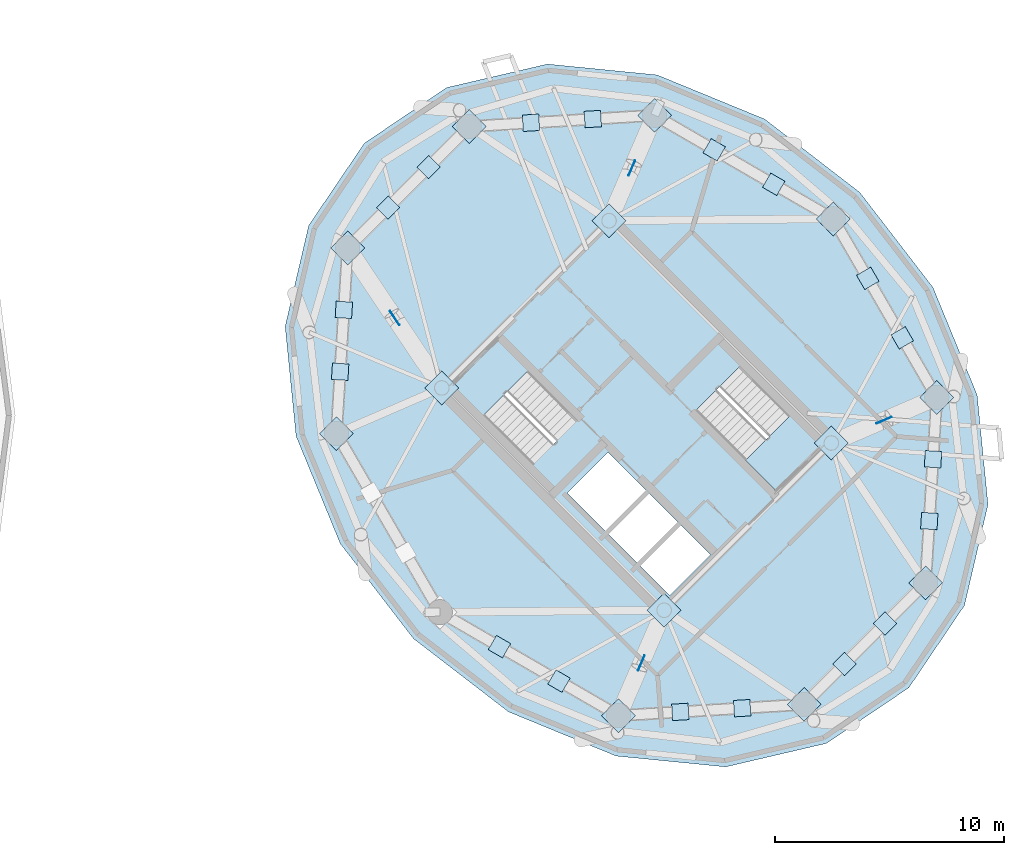
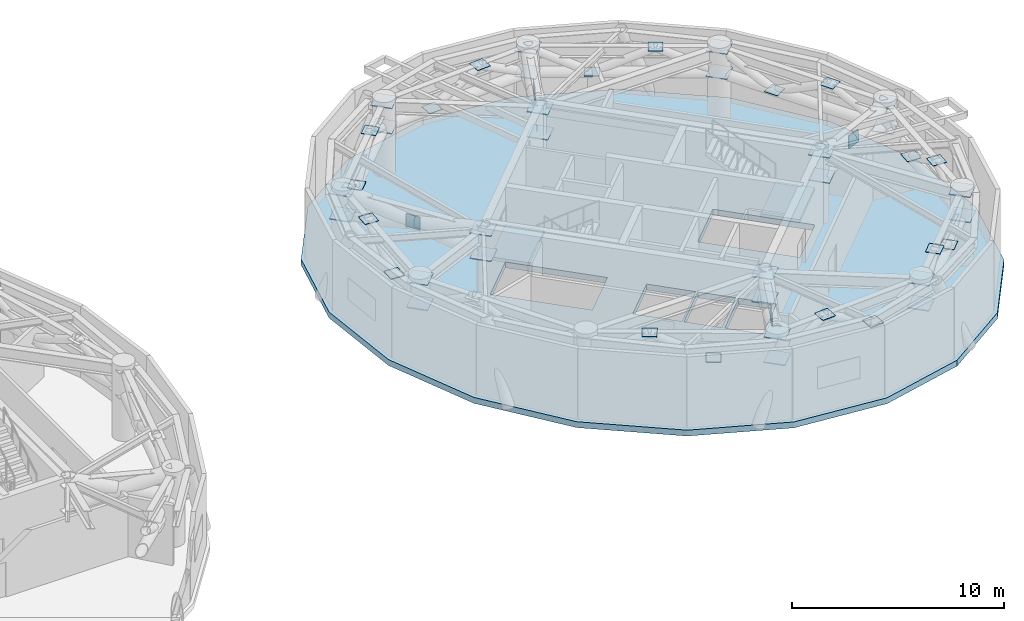
# One storey, part 7 of 14: 48 plates, 3 slabs, 2 elements without a shape of their own.
"""IFC4 building model written with IfcOpenShell, lengths in metres."""

from ifc_helpers import new_model, si_unit, direction, frame, origin, origin_2d, place, context, subcontext, project, spatial, polyline, rectangle, outline, extrude, source, transform, mapped, material, layer, layer_set, type_object, element, aggregate, save


model = new_model("IFC4")

# Units and contexts
model_context = context("Model", 3, precision=1e-05, world=origin(), true_north=direction((0.0, 1.0)))
body_context = subcontext(model_context, "Body", "Model", "MODEL_VIEW")
ifc_project = project(units=[si_unit("LENGTHUNIT", "METRE"), si_unit("AREAUNIT", "SQUARE_METRE"), si_unit("VOLUMEUNIT", "CUBIC_METRE"), si_unit("PLANEANGLEUNIT", "RADIAN"), si_unit("MASSUNIT", "GRAM", prefix="KILO")], contexts=[model_context])

# Site, building, storey
site_placement = place(None, origin())
site = spatial("IfcSite", under=ifc_project, at=site_placement, CompositionType="ELEMENT")
building_placement = place(site_placement, origin())
building = spatial("IfcBuilding", under=site, at=building_placement, Name="Cununo Teusaquillo Station Towers", CompositionType="ELEMENT")
storey_placement = place(building_placement, frame((0.0, 0.0, 192.340087890625)))
storey = spatial("IfcBuildingStorey", under=building, at=storey_placement, Name="L61", CompositionType="ELEMENT", Elevation=192.340087890625)

# Slab
ifc_material_1 = material(Name="Concrete C50/60", Category="concrete")
ifc_layer_1 = layer(ifc_material_1, 0.340087890625)
ifc_layer_set_1 = layer_set([ifc_layer_1], Name="Concrete C50/60")
slab_type_1 = type_object("IfcSlabType", Name="SLB-B01-340", PredefinedType="FLOOR", material=ifc_layer_set_1)
slab_1_placement = place(storey_placement, frame((0.0, 0.0, -0.340087890625)))
element("IfcSlab", 1, at=slab_1_placement, inside=storey, type_object=slab_type_1, Name="L61 Tower B Floor Slab", PredefinedType="FLOOR", context=body_context, shape_type="SweptSolid", body=[
    extrude(outline(polyline([(67.265869140625, 34.265869140625), (63.10595703125, 37.4697265625), (58.3974609375, 39.404052734375), (53.60107421875, 39.87939453125), (49.186279296875, 38.849365234375), (45.585205078125, 36.414794921875), (43.150634765625, 32.813720703125), (42.12060546875, 28.39892578125), (42.595947265625, 23.6025390625), (44.5302734375, 18.89404296875), (47.734130859375, 14.734130859375), (51.89404296875, 11.5302734375), (56.6025390625, 9.595947265625), (61.39892578125, 9.12060546875), (65.813720703125, 10.150634765625), (69.414794921875, 12.585205078125), (71.849365234375, 16.186279296875), (72.87939453125, 20.60107421875), (72.404052734375, 25.3974609375), (70.4697265625, 30.10595703125), (67.265869140625, 34.265869140625)]), holes=[polyline([(54.914794921875, 24.28515625), (51.390625, 27.809326171875), (49.43896484375, 25.857666015625), (52.963134765625, 22.33349609375), (54.914794921875, 24.28515625)]), polyline([(60.085205078125, 24.71484375), (63.609375, 21.190673828125), (65.56103515625, 23.142333984375), (62.036865234375, 26.66650390625), (60.085205078125, 24.71484375)]), polyline([(56.156494140625, 19.40869140625), (57.945556640625, 21.19775390625), (56.248291015625, 22.89501953125), (54.45947265625, 21.10595703125), (56.156494140625, 19.40869140625)]), polyline([(58.94970703125, 16.61572265625), (60.738525390625, 18.40478515625), (59.430419921875, 19.712890625), (57.641357421875, 17.923828125), (58.94970703125, 16.61572265625)]), polyline([(57.535400390625, 18.030029296875), (59.32421875, 19.819091796875), (58.01611328125, 21.127197265625), (56.227294921875, 19.338134765625), (57.535400390625, 18.030029296875)])]), origin(), (0.0, 0.0, 1.0), 0.340087890625),
])

# Stair, slab
ifc_material_2 = material(Name="Concrete C50/60", Category="concrete")
stair_type = type_object("IfcStairType", Name="ST-TWR-1300", PredefinedType="HALF_TURN_STAIR", material=ifc_material_2)
stair_1_placement = place(storey_placement, origin())
stair_1 = element("IfcStair", 2, at=stair_1_placement, inside=storey, type_object=stair_type, Name="L61 Tower B Protected Core Exit Stair 1", PredefinedType="HALF_TURN_STAIR")
ifc_material_3 = material(Name="Concrete C50/60", Category="concrete")
ifc_layer_2 = layer(ifc_material_3, 0.199951171875)
ifc_layer_set_2 = layer_set([ifc_layer_2], Name="Concrete C50/60")
slab_type_2 = type_object("IfcSlabType", Name="SLB-STAIR-LND", PredefinedType="LANDING", material=ifc_layer_set_2)
slab_2_placement = place(storey_placement, frame((0.0, 0.0, 1.9599609375)))
slab_2 = element("IfcSlab", 3, at=slab_2_placement, type_object=slab_type_2, Name="ST-T2-1 landing 1", PredefinedType="LANDING", context=body_context, shape_type="SweptSolid", body=[
    extrude(outline(polyline([(52.7412109375, 26.458740234375), (51.390625, 27.809326171875), (49.43896484375, 25.857666015625), (50.78955078125, 24.507080078125), (52.7412109375, 26.458740234375)])), origin(), (0.0, 0.0, 1.0), 0.199951171875),
])
aggregate(stair_1, [slab_2])

stair_2_placement = place(storey_placement, origin())
stair_2 = element("IfcStair", 4, at=stair_2_placement, inside=storey, type_object=stair_type, Name="L61 Tower B Protected Core Exit Stair 2", PredefinedType="HALF_TURN_STAIR")
slab_3_placement = place(storey_placement, frame((0.0, 0.0, 1.9599609375)))
slab_3 = element("IfcSlab", 5, at=slab_3_placement, type_object=slab_type_2, Name="ST-T2-2 landing 1", PredefinedType="LANDING", context=body_context, shape_type="SweptSolid", body=[
    extrude(outline(polyline([(62.2587890625, 22.541259765625), (63.609375, 21.190673828125), (65.56103515625, 23.142333984375), (64.21044921875, 24.492919921875), (62.2587890625, 22.541259765625)])), origin(), (0.0, 0.0, 1.0), 0.199951171875),
])
aggregate(stair_2, [slab_3])

# Plates
ifc_material_4 = material(Name="Steel ASTM A572 Grade 50", Category="steel")
ifc_layer_3 = layer(ifc_material_4, 0.030029296875)
ifc_layer_set_3 = layer_set([ifc_layer_3], Name="Steel ASTM A572 Grade 50")
plate_type_1 = type_object("IfcPlateType", Name="PLT-NODE-XBR", PredefinedType="USERDEFINED", material=ifc_layer_set_3)
shared_shape_1 = source(origin(), body_context, "Body", "SweptSolid", [
    extrude(rectangle(XDim=0.719970703125, YDim=0.030029296875, at=origin_2d()), origin(), (0.0, 0.0, 1.0), 0.719970703125),
])
for number, where, z_axis, x_axis, name in (
    (6, (46.914794921875, 28.76611328125, 2.94482421875), (0.0, 0.0, 1.0), (-0.558613989835, 0.829427760785, 0.0), "L61 Tower B Outrigger X-Crossing Gusset XBP1 1"),
    (7, (57.292724609375, 35.32958984375, 2.94482421875), (0.0, 0.0, 1.0), (0.397308062984, 0.917685296323, 0.0), "L61 Tower B Outrigger X-Crossing Gusset XBP1 2"),
    (8, (57.707275390625, 13.67041015625, 2.94482421875), (0.0, 0.0, 1.0), (-0.397308062984, -0.917685296323, 0.0), "L61 Tower B Outrigger X-Crossing Gusset XBP1 3"),
    (9, (68.32958984375, 24.292724609375, 2.94482421875), (0.0, 0.0, 1.0), (0.917685296323, 0.397308062984, 0.0), "L61 Tower B Outrigger X-Crossing Gusset XBP1 4"),
):
    element("IfcPlate", number, at=place(storey_placement, frame(where, z_axis=z_axis, x_axis=x_axis)), inside=storey, type_object=plate_type_1, Name=name, ObjectType="GUSSET PLATE", PredefinedType="USERDEFINED", context=body_context, shape_type="MappedRepresentation", body=[
        mapped(shared_shape_1, transform((0.0, 0.0, 0.0), x_axis=(1.0, 0.0, 0.0), y_axis=(0.0, 1.0, 0.0), z_axis=(0.0, 0.0, 1.0), scale=1.0)),
    ])
ifc_material_5 = material(Name="Steel ASTM A572 Grade 50", Category="steel")
ifc_layer_4 = layer(ifc_material_5, 0.054931640625)
ifc_layer_set_4 = layer_set([ifc_layer_4], Name="Steel ASTM A572 Grade 50")
plate_type_2 = type_object("IfcPlateType", Name="PLT-NODE-OTN1", PredefinedType="USERDEFINED", material=ifc_layer_set_4)
shared_shape_2 = source(origin(), body_context, "Body", "SweptSolid", [
    extrude(rectangle(XDim=1.050048828125, YDim=1.050048828125, at=origin_2d()), origin(), (0.0, 0.0, 1.0), 0.054931640625),
])
for number, where, z_axis, x_axis, name in (
    (10, (48.975830078125, 25.70556640625, 2.55224609375), (0.0, 0.0, 1.0), (0.707106781187, 0.707106781187, 0.0), "L61 Tower B Outrigger Core Gusset OTN1 1.CB"),
    (11, (48.975830078125, 25.70556640625, 4.00244140625), (0.0, 0.0, 1.0), (0.707106781187, 0.707106781187, 0.0), "L61 Tower B Outrigger Core Gusset OTN1 1.CT"),
    (12, (56.29443359375, 33.024169921875, 2.55224609375), (0.0, 0.0, 1.0), (0.707106781187, 0.707106781187, 0.0), "L61 Tower B Outrigger Core Gusset OTN1 2.CB"),
    (13, (56.29443359375, 33.024169921875, 4.00244140625), (0.0, 0.0, 1.0), (0.707106781187, 0.707106781187, 0.0), "L61 Tower B Outrigger Core Gusset OTN1 2.CT"),
    (14, (58.70556640625, 15.975830078125, 2.55224609375), (0.0, 0.0, 1.0), (0.707106781187, 0.707106781187, 0.0), "L61 Tower B Outrigger Core Gusset OTN1 3.CB"),
    (15, (58.70556640625, 15.975830078125, 4.00244140625), (0.0, 0.0, 1.0), (0.707106781187, 0.707106781187, 0.0), "L61 Tower B Outrigger Core Gusset OTN1 3.CT"),
    (16, (66.024169921875, 23.29443359375, 2.55224609375), (0.0, 0.0, 1.0), (0.707106781187, 0.707106781187, 0.0), "L61 Tower B Outrigger Core Gusset OTN1 4.CB"),
    (17, (66.024169921875, 23.29443359375, 4.00244140625), (0.0, 0.0, 1.0), (0.707106781187, 0.707106781187, 0.0), "L61 Tower B Outrigger Core Gusset OTN1 4.CT"),
    (18, (66.10693359375, 33.10693359375, 2.55224609375), (0.0, 0.0, 1.0), (0.707106781187, 0.707106781187, 0.0), "L61 Tower B Belt Truss Column Gusset 01B"),
    (19, (66.10693359375, 33.10693359375, 4.00244140625), (0.0, 0.0, 1.0), (0.707106781187, 0.707106781187, 0.0), "L61 Tower B Belt Truss Column Gusset 01T"),
    (20, (58.291015625, 37.63525390625, 2.55224609375), (0.0, 0.0, 1.0), (0.707106781187, 0.707106781187, 0.0), "L61 Tower B Belt Truss Column Gusset 02B"),
    (21, (58.291015625, 37.63525390625, 4.00244140625), (0.0, 0.0, 1.0), (0.707106781187, 0.707106781187, 0.0), "L61 Tower B Belt Truss Column Gusset 02T"),
    (22, (50.173095703125, 37.146240234375, 2.55224609375), (0.0, 0.0, 1.0), (0.707106781187, 0.707106781187, 0.0), "L61 Tower B Belt Truss Column Gusset 03B"),
    (23, (50.173095703125, 37.146240234375, 4.00244140625), (0.0, 0.0, 1.0), (0.707106781187, 0.707106781187, 0.0), "L61 Tower B Belt Truss Column Gusset 03T"),
    (24, (44.853759765625, 31.826904296875, 2.55224609375), (0.0, 0.0, 1.0), (0.707106781187, 0.707106781187, 0.0), "L61 Tower B Belt Truss Column Gusset 04B"),
    (25, (44.853759765625, 31.826904296875, 4.00244140625), (0.0, 0.0, 1.0), (0.707106781187, 0.707106781187, 0.0), "L61 Tower B Belt Truss Column Gusset 04T"),
    (26, (44.36474609375, 23.708984375, 2.55224609375), (0.0, 0.0, 1.0), (0.707106781187, 0.707106781187, 0.0), "L61 Tower B Belt Truss Column Gusset 05B"),
    (27, (44.36474609375, 23.708984375, 4.00244140625), (0.0, 0.0, 1.0), (0.707106781187, 0.707106781187, 0.0), "L61 Tower B Belt Truss Column Gusset 05T"),
    (28, (56.708984375, 11.36474609375, 2.55224609375), (0.0, 0.0, 1.0), (0.707106781187, 0.707106781187, 0.0), "L61 Tower B Belt Truss Column Gusset 07B"),
    (29, (56.708984375, 11.36474609375, 4.00244140625), (0.0, 0.0, 1.0), (0.707106781187, 0.707106781187, 0.0), "L61 Tower B Belt Truss Column Gusset 07T"),
    (30, (64.826904296875, 11.853759765625, 2.55224609375), (0.0, 0.0, 1.0), (0.707106781187, 0.707106781187, 0.0), "L61 Tower B Belt Truss Column Gusset 08B"),
    (31, (64.826904296875, 11.853759765625, 4.00244140625), (0.0, 0.0, 1.0), (0.707106781187, 0.707106781187, 0.0), "L61 Tower B Belt Truss Column Gusset 08T"),
    (32, (70.146240234375, 17.173095703125, 2.55224609375), (0.0, 0.0, 1.0), (0.707106781187, 0.707106781187, 0.0), "L61 Tower B Belt Truss Column Gusset 09B"),
    (33, (70.146240234375, 17.173095703125, 4.00244140625), (0.0, 0.0, 1.0), (0.707106781187, 0.707106781187, 0.0), "L61 Tower B Belt Truss Column Gusset 09T"),
    (34, (70.63525390625, 25.291015625, 2.55224609375), (0.0, 0.0, 1.0), (0.707106781187, 0.707106781187, 0.0), "L61 Tower B Belt Truss Column Gusset 10B"),
    (35, (70.63525390625, 25.291015625, 4.00244140625), (0.0, 0.0, 1.0), (0.707106781187, 0.707106781187, 0.0), "L61 Tower B Belt Truss Column Gusset 10T"),
):
    element("IfcPlate", number, at=place(storey_placement, frame(where, z_axis=z_axis, x_axis=x_axis)), inside=storey, type_object=plate_type_2, Name=name, ObjectType="GUSSET PLATE", PredefinedType="USERDEFINED", context=body_context, shape_type="MappedRepresentation", body=[
        mapped(shared_shape_2, transform((0.0, 0.0, 0.0), x_axis=(1.0, 0.0, 0.0), y_axis=(0.0, 1.0, 0.0), z_axis=(0.0, 0.0, 1.0), scale=1.0)),
    ])
shared_shape_3 = source(origin(), body_context, "Body", "SweptSolid", [
    extrude(rectangle(XDim=0.719970703125, YDim=0.719970703125, at=origin_2d()), origin(), (0.0, 0.0, 1.0), 0.030029296875),
])
for number, where, z_axis, x_axis, name in (
    (36, (63.501708984375, 34.616455078125, 4.01513671875), (0.0, 0.0, 1.0), (-0.865238937528, 0.501359732114, 0.0), "L61 Tower B Belt Web Node Gusset XBP1 01T1"),
    (37, (60.896484375, 36.125732421875, 2.56494140625), (0.0, 0.0, 1.0), (-0.865238937528, 0.501359732114, 0.0), "L61 Tower B Belt Web Node Gusset XBP1 01B2"),
    (38, (55.585205078125, 37.47216796875, 4.01513671875), (0.0, 0.0, 1.0), (-0.998187693254, -0.060177479469, 0.0), "L61 Tower B Belt Web Node Gusset XBP1 02T1"),
    (39, (52.879150390625, 37.309326171875, 2.56494140625), (0.0, 0.0, 1.0), (-0.998187693254, -0.060177479469, 0.0), "L61 Tower B Belt Web Node Gusset XBP1 02B2"),
    (40, (48.39990234375, 35.373291015625, 4.01513671875), (0.0, 0.0, 1.0), (-0.707106781187, -0.707106781187, 0.0), "L61 Tower B Belt Web Node Gusset XBP1 03T1"),
    (41, (46.626708984375, 33.60009765625, 2.56494140625), (0.0, 0.0, 1.0), (-0.707106781187, -0.707106781187, 0.0), "L61 Tower B Belt Web Node Gusset XBP1 03B2"),
    (42, (44.690673828125, 29.120849609375, 4.01513671875), (0.0, 0.0, 1.0), (-0.060177479469, -0.998187693254, 0.0), "L61 Tower B Belt Web Node Gusset XBP1 04T1"),
    (43, (44.52783203125, 26.414794921875, 2.56494140625), (0.0, 0.0, 1.0), (-0.060177479469, -0.998187693254, 0.0), "L61 Tower B Belt Web Node Gusset XBP1 04B2"),
    (44, (51.498291015625, 14.383544921875, 4.01513671875), (0.0, 0.0, 1.0), (0.865238937528, -0.501359732114, 0.0), "L61 Tower B Belt Web Node Gusset XBP1 06T1"),
    (45, (54.103515625, 12.874267578125, 2.56494140625), (0.0, 0.0, 1.0), (0.865238937528, -0.501359732114, 0.0), "L61 Tower B Belt Web Node Gusset XBP1 06B2"),
    (46, (59.414794921875, 11.52783203125, 4.01513671875), (0.0, 0.0, 1.0), (0.998187693254, 0.060177479469, 0.0), "L61 Tower B Belt Web Node Gusset XBP1 07T1"),
    (47, (62.120849609375, 11.690673828125, 2.56494140625), (0.0, 0.0, 1.0), (0.998187693254, 0.060177479469, 0.0), "L61 Tower B Belt Web Node Gusset XBP1 07B2"),
    (48, (66.60009765625, 13.626708984375, 4.01513671875), (0.0, 0.0, 1.0), (0.707106781187, 0.707106781187, 0.0), "L61 Tower B Belt Web Node Gusset XBP1 08T1"),
    (49, (68.373291015625, 15.39990234375, 2.56494140625), (0.0, 0.0, 1.0), (0.707106781187, 0.707106781187, 0.0), "L61 Tower B Belt Web Node Gusset XBP1 08B2"),
    (50, (70.309326171875, 19.879150390625, 4.01513671875), (0.0, 0.0, 1.0), (0.060177479469, 0.998187693254, 0.0), "L61 Tower B Belt Web Node Gusset XBP1 09T1"),
    (51, (70.47216796875, 22.585205078125, 2.56494140625), (0.0, 0.0, 1.0), (0.060177479469, 0.998187693254, 0.0), "L61 Tower B Belt Web Node Gusset XBP1 09B2"),
    (52, (69.125732421875, 27.896484375, 4.01513671875), (0.0, 0.0, 1.0), (-0.501359732114, 0.865238937528, 0.0), "L61 Tower B Belt Web Node Gusset XBP1 10T1"),
    (53, (67.616455078125, 30.501708984375, 2.56494140625), (0.0, 0.0, 1.0), (-0.501359732114, 0.865238937528, 0.0), "L61 Tower B Belt Web Node Gusset XBP1 10B2"),
):
    element("IfcPlate", number, at=place(storey_placement, frame(where, z_axis=z_axis, x_axis=x_axis)), inside=storey, type_object=plate_type_1, Name=name, ObjectType="GUSSET PLATE", PredefinedType="USERDEFINED", context=body_context, shape_type="MappedRepresentation", body=[
        mapped(shared_shape_3, transform((0.0, 0.0, 0.0), x_axis=(1.0, 0.0, 0.0), y_axis=(0.0, 1.0, 0.0), z_axis=(0.0, 0.0, 1.0), scale=1.0)),
    ])

save(model, "model.ifc")
